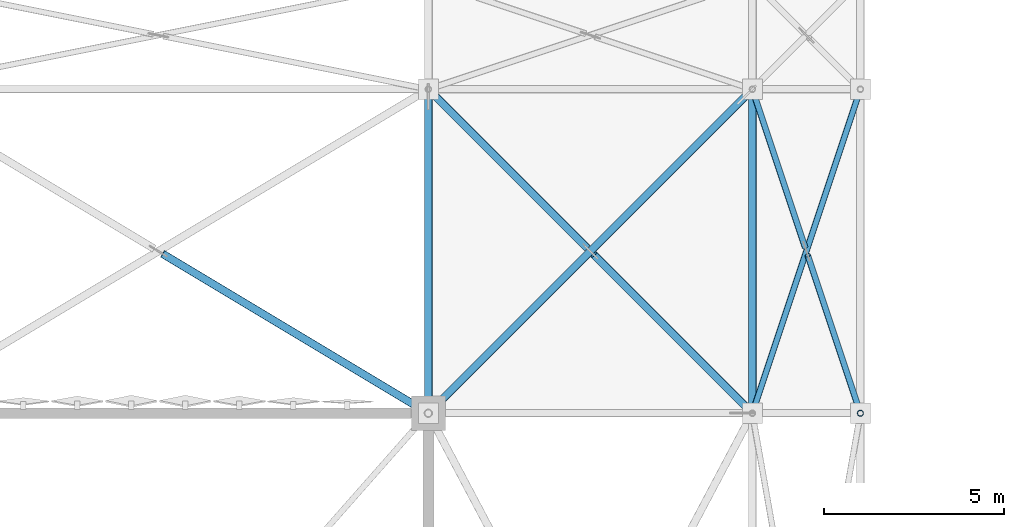
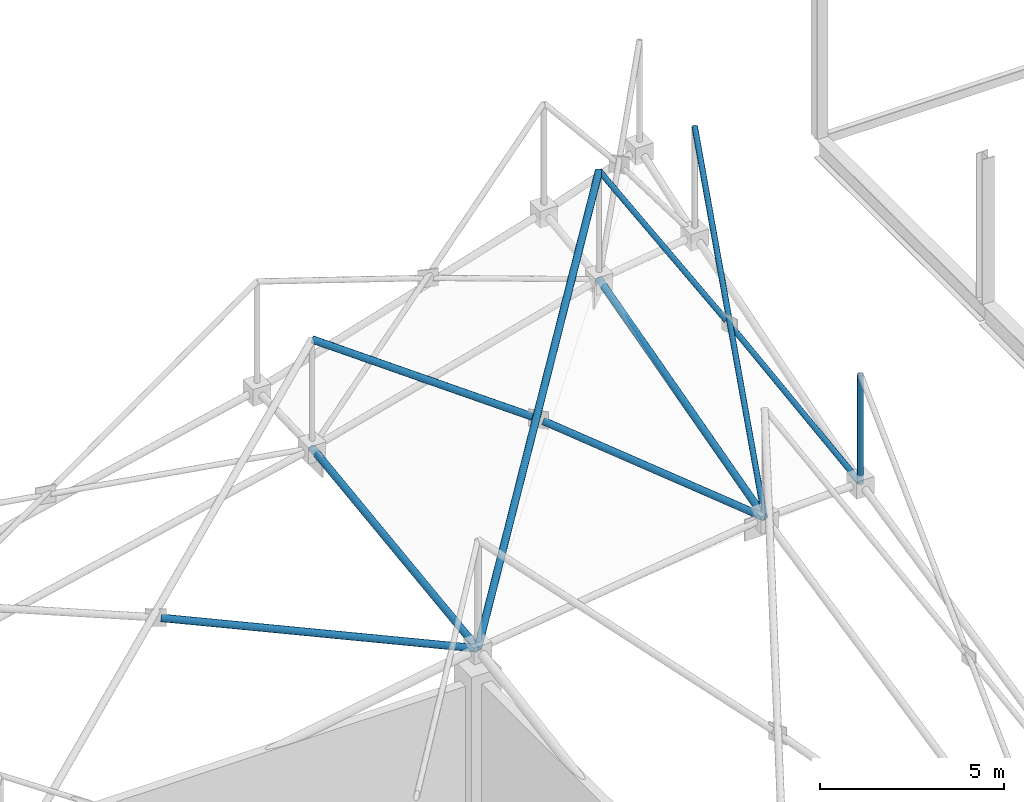
# One storey, part 153 of 224: 10 members.
"""IFC4 building model written with IfcOpenShell, lengths in metres."""

from ifc_helpers import new_model, si_unit, direction, frame, origin, origin_2d, place, context, subcontext, project, spatial, hollow_circle, extrude, material, material_profile, profile_set, type_object, element, save


model = new_model("IFC4")

# Units and contexts
model_context = context("Model", 3, precision=1e-05, world=origin(), true_north=direction((0.0, 1.0)))
body_context = subcontext(model_context, "Body", "Model", "MODEL_VIEW")
ifc_project = project(units=[si_unit("LENGTHUNIT", "METRE"), si_unit("AREAUNIT", "SQUARE_METRE"), si_unit("VOLUMEUNIT", "CUBIC_METRE"), si_unit("PLANEANGLEUNIT", "RADIAN"), si_unit("MASSUNIT", "GRAM", prefix="KILO")], contexts=[model_context])

# Site, building, storey
site_placement = place(None, origin())
site = spatial("IfcSite", under=ifc_project, at=site_placement, CompositionType="ELEMENT")
building_placement = place(site_placement, origin())
building = spatial("IfcBuilding", under=site, at=building_placement, Name="Qamarlyn Nura Convention Centre", CompositionType="ELEMENT")
storey_placement = place(building_placement, frame((0.0, 0.0, 10.800048828125)))
storey = spatial("IfcBuildingStorey", under=building, at=storey_placement, Name="L02", CompositionType="ELEMENT", Elevation=10.800048828125)

# Members
ifc_material = material(Name="Pearl-white PVDF steel ASTM A500 Grade C", Category="steel")
ifc_material_profile_1 = material_profile(ifc_material, hollow_circle(Radius=0.109619140625, WallThickness=0.010009765625, at=origin_2d()), Name="CHS219.1X10")
ifc_profile_set_1 = profile_set([ifc_material_profile_1], Name="Pearl-white PVDF steel ASTM A500 Grade C")
member_type_1 = type_object("IfcMemberType", Name="SF-BC-EAVE", PredefinedType="CHORD", material=ifc_profile_set_1)
member_1_placement = place(storey_placement, frame((120.0, 103.0, 5.314208984375), z_axis=(0.0, 0.991351473464, 0.131233593492), x_axis=(-1.0, 0.0, 0.0)))
element("IfcMember", 1, at=member_1_placement, inside=storey, type_object=member_type_1, Name="ROOF TRUSS space frame bottom chord Y10-7", PredefinedType="CHORD", context=body_context, shape_type="SweptSolid", body=[
    extrude(hollow_circle(Radius=0.109619140625, WallThickness=0.010009765625, at=origin_2d()), origin(), (0.0, 0.0, 1.0), 9.07861328125),
])
member_2_placement = place(storey_placement, frame((129.0, 103.0, 6.505615234375), z_axis=(0.0, 0.965021310393, 0.262171452463), x_axis=(-1.0, 0.0, 0.0)))
element("IfcMember", 2, at=member_2_placement, inside=storey, type_object=member_type_1, Name="ROOF TRUSS space frame bottom chord Y11-7", PredefinedType="CHORD", context=body_context, shape_type="SweptSolid", body=[
    extrude(hollow_circle(Radius=0.109619140625, WallThickness=0.010009765625, at=origin_2d()), origin(), (0.0, 0.0, 1.0), 9.326171875),
])
ifc_material_profile_2 = material_profile(ifc_material, hollow_circle(Radius=0.109619140625, WallThickness=0.010009765625, at=origin_2d()), Name="CHS219.1X10")
ifc_profile_set_2 = profile_set([ifc_material_profile_2], Name="Pearl-white PVDF steel ASTM A500 Grade C")
member_type_2 = type_object("IfcMemberType", Name="SF-WEB-HVY", PredefinedType="BRACE", material=ifc_profile_set_2)
member_3_placement = place(storey_placement, frame((120.0, 103.0, 5.314208984375), z_axis=(-0.852697775716, 0.511618665429, 0.105607028524), x_axis=(-0.514495755428, -0.857492925713, 0.0)))
element("IfcMember", 3, at=member_3_placement, inside=storey, type_object=member_type_2, Name="ROOF TRUSS space frame split diagonal B1 9-7", PredefinedType="BRACE", context=body_context, shape_type="SweptSolid", body=[
    extrude(hollow_circle(Radius=0.109619140625, WallThickness=0.010009765625, at=origin_2d()), origin(), (0.0, 0.0, 1.0), 8.6552734375),
])
member_4_placement = place(storey_placement, frame((120.0, 103.0, 5.314208984375), z_axis=(0.61469906639, 0.61469906639, 0.49425713506), x_axis=(-0.707106781187, 0.707106781187, 0.0)))
element("IfcMember", 4, at=member_4_placement, inside=storey, type_object=member_type_2, Name="ROOF TRUSS space frame diagonal A 10-7", PredefinedType="BRACE", context=body_context, shape_type="SweptSolid", body=[
    extrude(hollow_circle(Radius=0.109619140625, WallThickness=0.010009765625, at=origin_2d()), origin(), (0.0, 0.0, 1.0), 14.641357421875),
])
member_5_placement = place(storey_placement, frame((129.0, 103.0, 6.505615234375), z_axis=(-0.670852570862, 0.670852570862, 0.316091215214), x_axis=(-0.707106781187, -0.707106781187, 0.0)))
element("IfcMember", 5, at=member_5_placement, inside=storey, type_object=member_type_2, Name="ROOF TRUSS space frame split diagonal B1 10-7", PredefinedType="BRACE", context=body_context, shape_type="SweptSolid", body=[
    extrude(hollow_circle(Radius=0.109619140625, WallThickness=0.010009765625, at=origin_2d()), origin(), (0.0, 0.0, 1.0), 6.56591796875),
])
member_6_placement = place(storey_placement, frame((124.40478515625, 107.59521484375, 8.6572265625), z_axis=(-0.68873230786, 0.68873230786, 0.226485355422), x_axis=(-0.707106781187, -0.707106781187, 0.0)))
element("IfcMember", 6, at=member_6_placement, inside=storey, type_object=member_type_2, Name="ROOF TRUSS space frame split diagonal B2 10-7", PredefinedType="BRACE", context=body_context, shape_type="SweptSolid", body=[
    extrude(hollow_circle(Radius=0.109619140625, WallThickness=0.010009765625, at=origin_2d()), origin(), (0.0, 0.0, 1.0), 6.3955078125),
])
ifc_material_profile_3 = material_profile(ifc_material, hollow_circle(Radius=0.084228515625, WallThickness=0.008056640625, at=origin_2d()), Name="CHS168.3X8")
ifc_profile_set_3 = profile_set([ifc_material_profile_3], Name="Pearl-white PVDF steel ASTM A500 Grade C")
member_type_3 = type_object("IfcMemberType", Name="SF-WEB-STD", PredefinedType="BRACE", material=ifc_profile_set_3)
member_7_placement = place(storey_placement, frame((129.0, 103.0, 6.505615234375), z_axis=(0.261417281445, 0.784251844336, 0.562681126054), x_axis=(-0.948683298051, 0.316227766017, 0.0)))
element("IfcMember", 7, at=member_7_placement, inside=storey, type_object=member_type_3, Name="ROOF TRUSS space frame diagonal A 11-7", PredefinedType="BRACE", context=body_context, shape_type="SweptSolid", body=[
    extrude(hollow_circle(Radius=0.084228515625, WallThickness=0.008056640625, at=origin_2d()), origin(), (0.0, 0.0, 1.0), 11.475830078125),
])
member_8_placement = place(storey_placement, frame((132.0, 103.0, 6.607421875), z_axis=(-0.265943641859, 0.797875323513, 0.540988860776), x_axis=(-0.948688576915, -0.316211928981, 0.0)))
element("IfcMember", 8, at=member_8_placement, inside=storey, type_object=member_type_3, Name="ROOF TRUSS space frame split diagonal B1 11-7", PredefinedType="BRACE", context=body_context, shape_type="SweptSolid", body=[
    extrude(hollow_circle(Radius=0.084228515625, WallThickness=0.008056640625, at=origin_2d()), origin(), (0.0, 0.0, 1.0), 5.4990234375),
])
member_9_placement = place(storey_placement, frame((130.46240234375, 107.612548828125, 9.73095703125), z_axis=(-0.269984367104, 0.809998173826, 0.520587552596), x_axis=(-0.948688576915, -0.316211928981, 0.0)))
element("IfcMember", 9, at=member_9_placement, inside=storey, type_object=member_type_3, Name="ROOF TRUSS space frame split diagonal B2 11-7", PredefinedType="BRACE", context=body_context, shape_type="SweptSolid", body=[
    extrude(hollow_circle(Radius=0.084228515625, WallThickness=0.008056640625, at=origin_2d()), origin(), (0.0, 0.0, 1.0), 5.41650390625),
])
member_10_placement = place(storey_placement, frame((132.0, 103.0, 6.607421875), z_axis=(0.0, 0.0, 1.0), x_axis=(1.0, 0.0, 0.0)))
element("IfcMember", 10, at=member_10_placement, inside=storey, type_object=member_type_3, Name="ROOF TRUSS space frame vertical 12-7", PredefinedType="BRACE", context=body_context, shape_type="SweptSolid", body=[
    extrude(hollow_circle(Radius=0.084228515625, WallThickness=0.008056640625, at=origin_2d()), origin(), (0.0, 0.0, 1.0), 3.599853515625),
])

save(model, "model.ifc")
